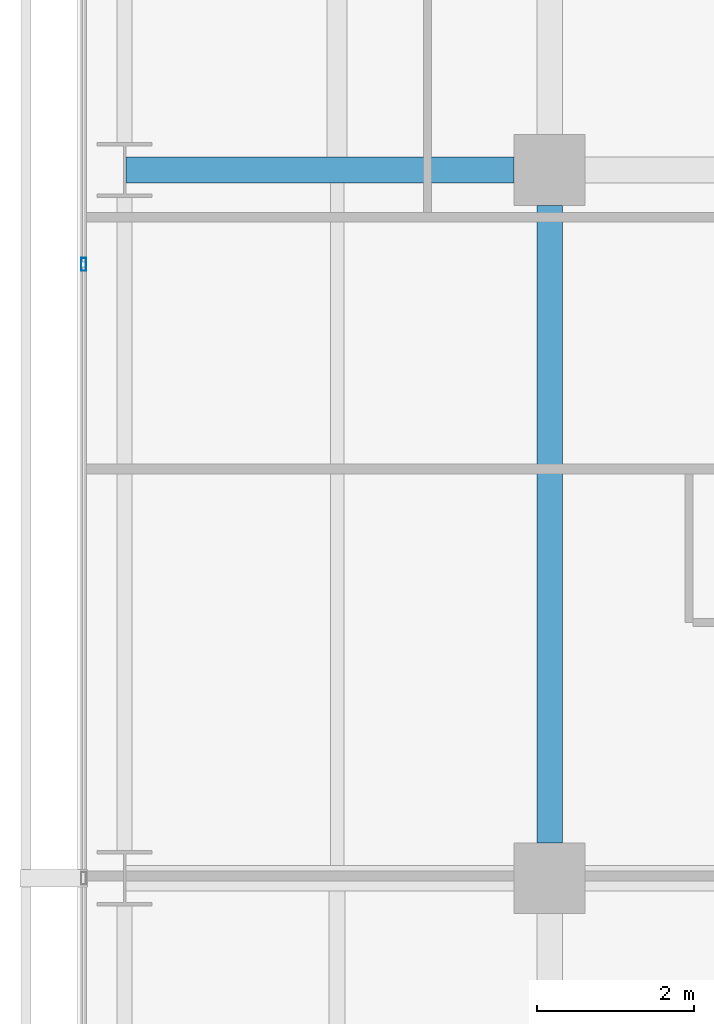
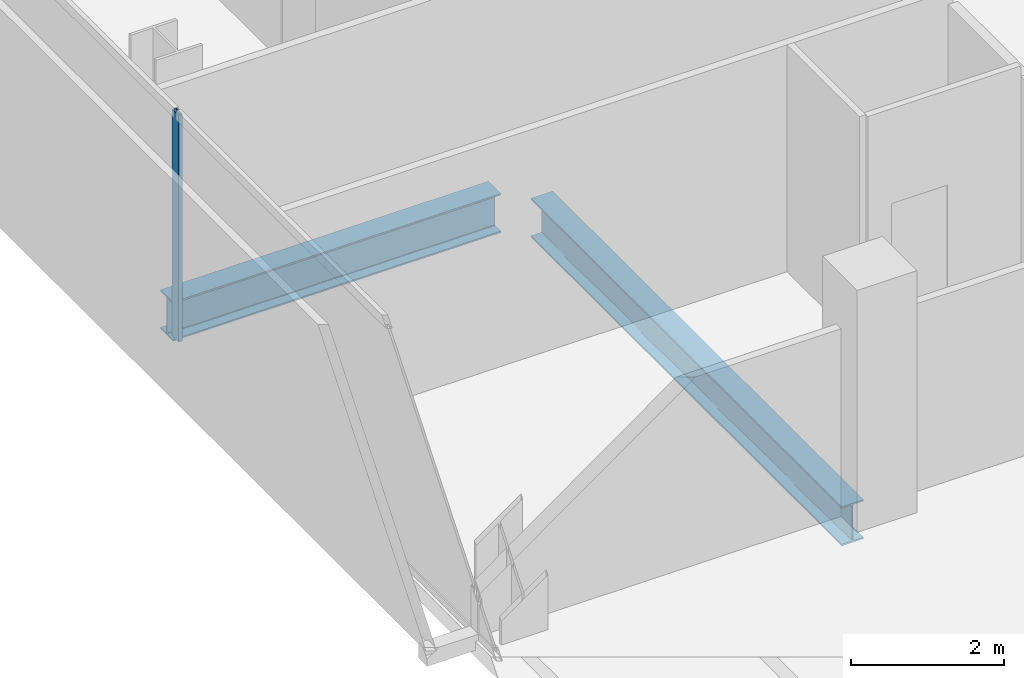
# One storey, part 21 of 40: 2 beams, 1 member, 1 element without a shape of its own.
"""IFC4 building model written with IfcOpenShell, lengths in metres."""

from ifc_helpers import new_model, si_unit, direction, frame, origin, origin_2d, place, context, subcontext, project, spatial, hollow_rectangle, i_section, extrude, material, layer, layer_set, material_profile, profile_set, type_object, element, aggregate, save


model = new_model("IFC4")

# Units and contexts
model_context = context("Model", 3, precision=1e-05, world=origin(), true_north=direction((0.0, 1.0)))
body_context = subcontext(model_context, "Body", "Model", "MODEL_VIEW")
ifc_project = project(units=[si_unit("LENGTHUNIT", "METRE"), si_unit("AREAUNIT", "SQUARE_METRE"), si_unit("VOLUMEUNIT", "CUBIC_METRE"), si_unit("PLANEANGLEUNIT", "RADIAN"), si_unit("MASSUNIT", "GRAM", prefix="KILO")], contexts=[model_context])

# Site, building, storey
site_placement = place(None, origin())
site = spatial("IfcSite", under=ifc_project, at=site_placement, CompositionType="ELEMENT")
building_placement = place(site_placement, origin())
building = spatial("IfcBuilding", under=site, at=building_placement, Name="Maruvema Waterfront Hotel and Observation Tower", CompositionType="ELEMENT")
storey_placement = place(building_placement, frame((0.0, 0.0, 42.35009765625)))
storey = spatial("IfcBuildingStorey", under=building, at=storey_placement, Name="L09", CompositionType="ELEMENT", Elevation=42.35009765625)

# Curtain wall, member
ifc_material_1 = material(Name="Anodised bronze aluminium and solar-control low-E IGU", Category="aluminium")
ifc_layer = layer(ifc_material_1, 0.159912109375, Name="Zone 1 Bronze Inner Thermal Curtain Wall System CW-02")
ifc_layer_set = layer_set([ifc_layer], Name="Anodised bronze aluminium and solar-control low-E IGU")
curtain_wall_type = type_object("IfcCurtainWallType", Name="Zone 1 Bronze Inner Thermal Curtain Wall System CW-02", PredefinedType="USERDEFINED", material=ifc_layer_set)
curtain_wall_placement = place(storey_placement, origin())
curtain_wall = element("IfcCurtainWall", 1, at=curtain_wall_placement, inside=storey, type_object=curtain_wall_type, Name="L09 Curtain Wall CW-L09-W", ObjectType="UNITISED CURTAIN WALL", PredefinedType="USERDEFINED")
ifc_material_2 = material(Name="Anodised architectural bronze aluminium", Category="aluminium")
ifc_material_profile_1 = material_profile(ifc_material_2, hollow_rectangle(XDim=0.06494140625, YDim=0.1650390625, WallThickness=0.00390625, at=origin_2d()), Name="ALU-M65x165")
ifc_profile_set_1 = profile_set([ifc_material_profile_1], Name="Anodised architectural bronze aluminium")
member_type = type_object("IfcMemberType", Name="Curtain Wall Primary Mullion ALU-M65x165", PredefinedType="MULLION", material=ifc_profile_set_1)
member_placement = place(storey_placement, frame((10.8798828125, 34.800048828125, 0.0), z_axis=(0.0, 0.0, 1.0), x_axis=(1.0, 0.0, 0.0)))
member = element("IfcMember", 2, at=member_placement, type_object=member_type, Name="CW-02 mullion 3", PredefinedType="MULLION", context=body_context, shape_type="SweptSolid", body=[
    extrude(hollow_rectangle(XDim=0.06494140625, YDim=0.1650390625, WallThickness=0.00390625, at=origin_2d()), origin(), (0.0, 0.0, 1.0), 3.60986328125),
])
aggregate(curtain_wall, [member])

# Beams
ifc_material_3 = material(Name="Steel ASTM A572 Grade 50", Category="steel")
ifc_material_profile_2 = material_profile(ifc_material_3, i_section(OverallWidth=0.326904296875, OverallDepth=0.6220703125, WebThickness=0.015380859375, FlangeThickness=0.0244140625, FilletRadius=0.01806640625, at=origin_2d()), Name="W610x195.0")
ifc_profile_set_2 = profile_set([ifc_material_profile_2], Name="Steel ASTM A572 Grade 50")
beam_type = type_object("IfcBeamType", Name="Primary Floor Girder W610x195.0", PredefinedType="BEAM", material=ifc_profile_set_2)
beam_1_placement = place(storey_placement, frame((11.4140625, 36.0, -0.551025390625), z_axis=(1.0, 0.0, 0.0), x_axis=(0.0, 1.0, 0.0)))
element("IfcBeam", 3, at=beam_1_placement, inside=storey, type_object=beam_type, Name="L09 Floor Girder EW-25", PredefinedType="BEAM", context=body_context, shape_type="SweptSolid", body=[
    extrude(i_section(OverallWidth=0.326904296875, OverallDepth=0.6220703125, WebThickness=0.015380859375, FlangeThickness=0.0244140625, FilletRadius=0.01806640625, at=origin_2d()), origin(), (0.0, 0.0, 1.0), 4.93603515625),
])
beam_2_placement = place(storey_placement, frame((16.800048828125, 27.449951171875, -0.551025390625), z_axis=(0.0, 1.0, 0.0), x_axis=(-1.0, 0.0, 0.0)))
element("IfcBeam", 4, at=beam_2_placement, inside=storey, type_object=beam_type, Name="L09 Floor Girder NS-08", PredefinedType="BEAM", context=body_context, shape_type="SweptSolid", body=[
    extrude(i_section(OverallWidth=0.326904296875, OverallDepth=0.6220703125, WebThickness=0.015380859375, FlangeThickness=0.0244140625, FilletRadius=0.01806640625, at=origin_2d()), origin(), (0.0, 0.0, 1.0), 8.10009765625),
])

save(model, "model.ifc")
